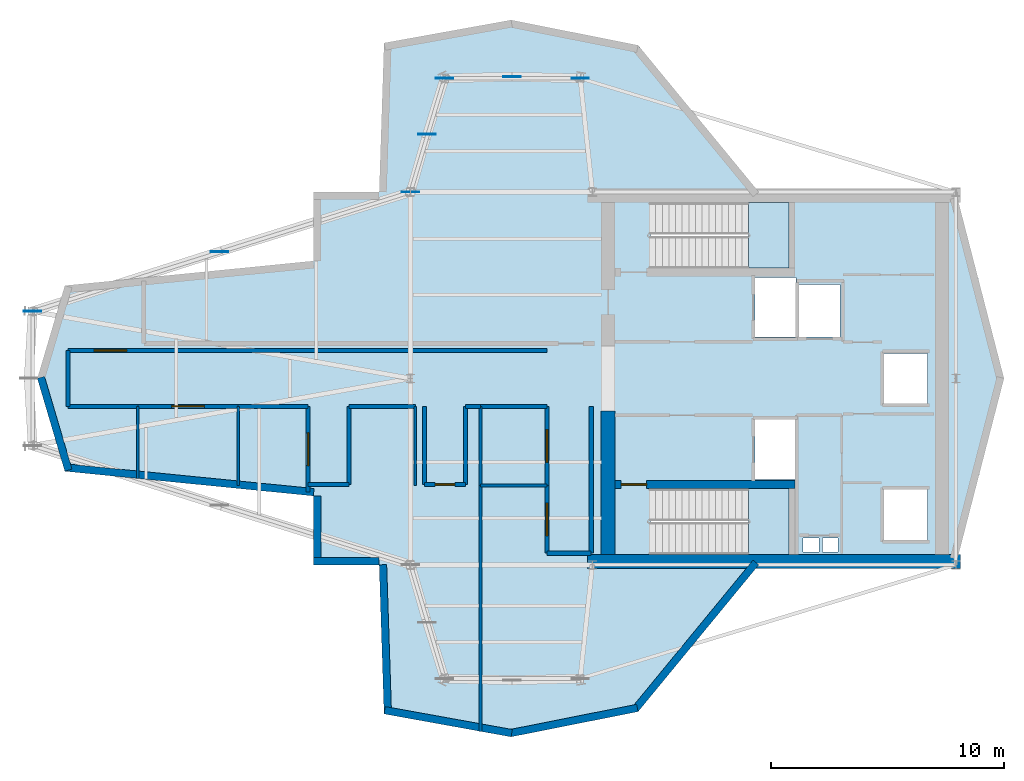
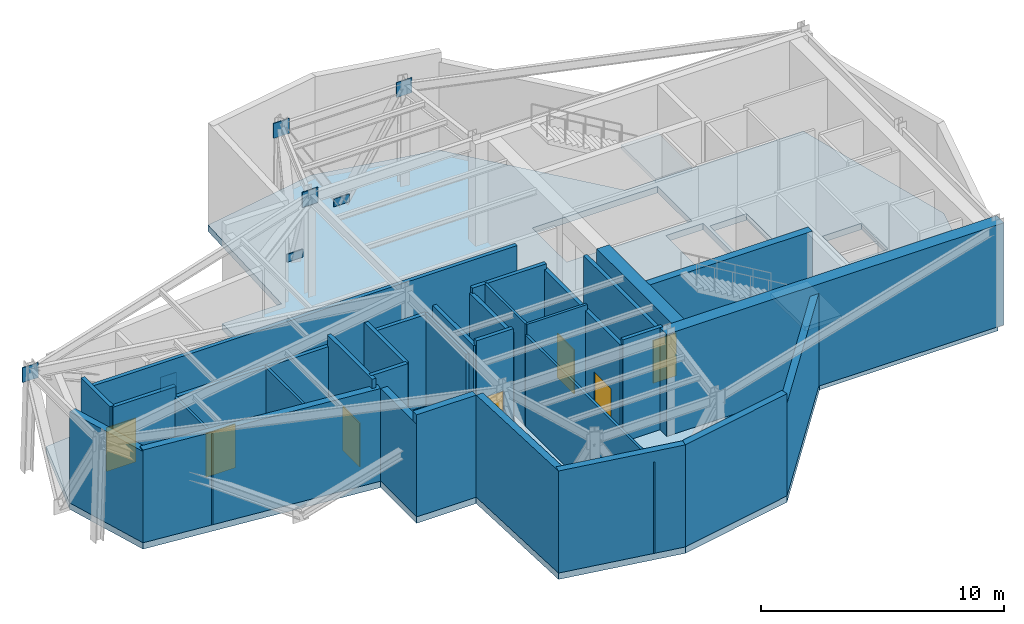
# One storey, part 2 of 5: 35 walls, 7 doors, 7 plates, 3 slabs, 7 openings, 2 elements without a shape of their own.
"""IFC4 building model written with IfcOpenShell, lengths in metres."""

from ifc_helpers import new_model, si_unit, direction, frame, frame_2d, origin, origin_2d, place, context, subcontext, project, spatial, polyline, rectangle, outline, extrude, material, layer, layer_set, type_object, element, fill, aggregate, save


model = new_model("IFC4")

# Units and contexts
model_context = context("Model", 3, precision=1e-05, world=origin(), true_north=direction((0.0, 1.0)))
body_context = subcontext(model_context, "Body", "Model", "MODEL_VIEW")
ifc_project = project(units=[si_unit("LENGTHUNIT", "METRE"), si_unit("AREAUNIT", "SQUARE_METRE"), si_unit("VOLUMEUNIT", "CUBIC_METRE"), si_unit("PLANEANGLEUNIT", "RADIAN"), si_unit("MASSUNIT", "GRAM", prefix="KILO")], contexts=[model_context])

# Site, building, storey
site_placement = place(None, origin())
site = spatial("IfcSite", under=ifc_project, at=site_placement, CompositionType="ELEMENT")
building_placement = place(site_placement, origin())
building = spatial("IfcBuilding", under=site, at=building_placement, Name="Veymaron Broadcast Tower", CompositionType="ELEMENT")
storey_placement = place(building_placement, frame((0.0, 0.0, 256.64990234375)))
storey = spatial("IfcBuildingStorey", under=building, at=storey_placement, Name="L60", CompositionType="ELEMENT", Elevation=256.64990234375)

# Plates
ifc_material_1 = material(Name="Structural steel ASTM A913 Gr 65", Category="steel")
ifc_layer_1 = layer(ifc_material_1, 0.0400390625)
ifc_layer_set_1 = layer_set([ifc_layer_1], Name="Structural steel ASTM A913 Gr 65")
plate_type = type_object("IfcPlateType", Name="PLT-NODE-BN1", PredefinedType="SHEET", material=ifc_layer_set_1)
for number, where, z_axis, x_axis, name in (
    (1, (14.97607421875, 26.8798828125, 4.4951171875), (0.0, 0.0, 1.0), (1.0, 0.0, 0.0), "L60 Belt Truss column gusset node plate BN1"),
    (2, (35.55712890625, 36.951904296875, -0.35498046875), (0.0, 0.0, 1.0), (1.0, 0.0, 0.0), "L60 Belt Truss apex gusset node plate BN1"),
    (3, (32.656005859375, 36.8798828125, 4.4951171875), (0.0, 0.0, 1.0), (1.0, 0.0, 0.0), "L60 Belt Truss column gusset node plate BN1"),
    (4, (38.47998046875, 36.8798828125, 4.4951171875), (0.0, 0.0, 1.0), (1.0, 0.0, 0.0), "L60 Belt Truss column gusset node plate BN1"),
    (5, (23.005126953125, 29.446044921875, -0.35498046875), (0.0, 0.0, 1.0), (1.0, 0.0, 0.0), "L60 Belt Truss apex gusset node plate BN1"),
    (6, (31.199951171875, 32.0, 4.4951171875), (0.0, 0.0, 1.0), (1.0, 0.0, 0.0), "L60 Belt Truss column gusset node plate BN1"),
    (7, (31.9111328125, 34.47607421875, -0.35498046875), (0.0, 0.0, 1.0), (1.0, 0.0, 0.0), "L60 Belt Truss apex gusset node plate BN1"),
):
    element("IfcPlate", number, at=place(storey_placement, frame(where, z_axis=z_axis, x_axis=x_axis)), inside=storey, type_object=plate_type, Name=name, PredefinedType="SHEET", context=body_context, shape_type="SweptSolid", body=[
        extrude(rectangle(XDim=0.75, YDim=0.0400390625, at=origin_2d()), origin(), (0.0, 0.0, 1.0), 0.75),
    ])

# Slab
ifc_material_2 = material(Name="Concrete C40/50", Category="concrete")
ifc_layer_2 = layer(ifc_material_2, 0.320068359375)
ifc_layer_set_2 = layer_set([ifc_layer_2], Name="Concrete C40/50")
slab_type_1 = type_object("IfcSlabType", Name="SLAB-FS2", PredefinedType="FLOOR", material=ifc_layer_set_2)
slab_1_placement = place(storey_placement, frame((0.0, 0.0, -0.31982421875)))
element("IfcSlab", 8, at=slab_1_placement, inside=storey, type_object=slab_type_1, Name="L60 structural floor slab", PredefinedType="FLOOR", context=body_context, shape_type="SweptSolid", body=[
    extrude(outline(polyline([(46.142333984375, 16.0), (54.60009765625, 16.0), (56.66650390625, 24.0), (54.60009765625, 32.0), (46.142333984375, 32.0), (40.962158203125, 38.30078125), (35.51123046875, 39.38330078125), (30.060302734375, 38.399169921875), (29.851806640625, 32.0), (27.025634765625, 32.0), (27.025634765625, 29.04248046875), (16.360107421875, 27.9833984375), (15.17919921875, 24.0), (16.360107421875, 20.0166015625), (27.025634765625, 18.95751953125), (27.025634765625, 16.0), (29.851806640625, 16.0), (30.060302734375, 9.600830078125), (35.51123046875, 8.61669921875), (40.962158203125, 9.69921875), (46.142333984375, 16.0)]), holes=[polyline([(45.969970703125, 28.330078125), (47.72998046875, 28.330078125), (47.72998046875, 25.77001953125), (45.969970703125, 25.77001953125), (45.969970703125, 28.330078125)]), polyline([(45.969970703125, 22.22998046875), (47.72998046875, 22.22998046875), (47.72998046875, 19.669921875), (45.969970703125, 19.669921875), (45.969970703125, 22.22998046875)]), polyline([(47.8701171875, 28.030029296875), (49.6298828125, 28.030029296875), (49.6298828125, 25.77001953125), (47.8701171875, 25.77001953125), (47.8701171875, 28.030029296875)]), polyline([(51.52001953125, 25.080078125), (53.3798828125, 25.080078125), (53.3798828125, 22.919921875), (51.52001953125, 22.919921875), (51.52001953125, 25.080078125)]), polyline([(51.52001953125, 19.22998046875), (53.3798828125, 19.22998046875), (53.3798828125, 17.070068359375), (51.52001953125, 17.070068359375), (51.52001953125, 19.22998046875)]), polyline([(48.050048828125, 17.159912109375), (48.719970703125, 17.159912109375), (48.719970703125, 16.56005859375), (48.050048828125, 16.56005859375), (48.050048828125, 17.159912109375)]), polyline([(48.8798828125, 17.159912109375), (49.550048828125, 17.159912109375), (49.550048828125, 16.56005859375), (48.8798828125, 16.56005859375), (48.8798828125, 17.159912109375)]), polyline([(41.489990234375, 31.550048828125), (47.43994140625, 31.550048828125), (47.43994140625, 28.72998046875), (41.489990234375, 28.72998046875), (41.489990234375, 31.550048828125)]), polyline([(41.489990234375, 19.27001953125), (47.43994140625, 19.27001953125), (47.43994140625, 16.449951171875), (41.489990234375, 16.449951171875), (41.489990234375, 19.27001953125)])]), origin(), (0.0, 0.0, 1.0), 0.31982421875),
])

# Stair, slab
ifc_material_3 = material(Name="Concrete C50/60", Category="concrete")
stair_type_1 = type_object("IfcStairType", Name="STAIR-CORE-1", PredefinedType="HALF_TURN_STAIR", material=ifc_material_3)
stair_1_placement = place(storey_placement, origin())
stair_1 = element("IfcStair", 9, at=stair_1_placement, inside=storey, type_object=stair_type_1, Name="L60 North protected dog-leg exit stair ST1", PredefinedType="HALF_TURN_STAIR")
ifc_layer_3 = layer(ifc_material_3, 0.199951171875)
ifc_layer_set_3 = layer_set([ifc_layer_3], Name="Concrete C50/60")
slab_type_2 = type_object("IfcSlabType", Name="SLAB-STAIR-LDG", PredefinedType="LANDING", material=ifc_layer_set_3)
slab_2_placement = place(storey_placement, frame((0.0, 0.0, 2.5)))
slab_2 = element("IfcSlab", 10, at=slab_2_placement, type_object=slab_type_2, Name="ST1 landing 1", PredefinedType="LANDING", context=body_context, shape_type="SweptSolid", body=[
    extrude(outline(polyline([(45.705078125, 28.72998046875), (47.43994140625, 28.72998046875), (47.43994140625, 31.550048828125), (45.705078125, 31.550048828125), (45.705078125, 28.72998046875)])), origin(), (0.0, 0.0, 1.0), 0.2001953125),
])
aggregate(stair_1, [slab_2])

stair_type_2 = type_object("IfcStairType", Name="STAIR-CORE-2", PredefinedType="HALF_TURN_STAIR", material=ifc_material_3)
stair_2_placement = place(storey_placement, origin())
stair_2 = element("IfcStair", 11, at=stair_2_placement, inside=storey, type_object=stair_type_2, Name="L60 South protected dog-leg exit stair ST2", PredefinedType="HALF_TURN_STAIR")
slab_3_placement = place(storey_placement, frame((0.0, 0.0, 2.5)))
slab_3 = element("IfcSlab", 12, at=slab_3_placement, type_object=slab_type_2, Name="ST2 landing 1", PredefinedType="LANDING", context=body_context, shape_type="SweptSolid", body=[
    extrude(outline(polyline([(45.705078125, 16.449951171875), (47.43994140625, 16.449951171875), (47.43994140625, 19.27001953125), (45.705078125, 19.27001953125), (45.705078125, 16.449951171875)])), origin(), (0.0, 0.0, 1.0), 0.2001953125),
])
aggregate(stair_2, [slab_3])

# Walls
ifc_material_4 = material(Name="Precast concrete C40/50", Category="concrete")
ifc_layer_4 = layer(ifc_material_4, 0.320068359375)
ifc_layer_set_4 = layer_set([ifc_layer_4], Name="Precast concrete C40/50")
wall_type_1 = type_object("IfcWallType", Name="WALL-EXT-320", PredefinedType="STANDARD", material=ifc_layer_set_4)
wall_1_placement = place(storey_placement, frame((15.33251953125, 24.04541015625, 0.0), z_axis=(0.0, 0.0, 1.0), x_axis=(0.284246391131, -0.958751265516, 0.0)))
element("IfcWall", 13, at=wall_1_placement, inside=storey, type_object=wall_type_1, Name="L60 mechanical belt-truss facade band 13-1", PredefinedType="STANDARD", context=body_context, shape_type="SweptSolid", body=[
    extrude(rectangle(XDim=4.154541015625, YDim=0.320068359375, at=frame_2d((2.0771484375, 0.0))), origin(), (0.0, 0.0, 1.0), 4.580078125),
])
wall_2_placement = place(storey_placement, frame((16.375732421875, 20.17578125, 0.0), z_axis=(0.0, 0.0, 1.0), x_axis=(0.995106185687, -0.098811331369, 0.0)))
element("IfcWall", 14, at=wall_2_placement, inside=storey, type_object=wall_type_1, Name="L60 mechanical belt-truss facade band 14-1", PredefinedType="STANDARD", context=body_context, shape_type="SweptSolid", body=[
    extrude(rectangle(XDim=10.71826171875, YDim=0.320068359375, at=frame_2d((5.359130859375, 0.0))), origin(), (0.0, 0.0, 1.0), 4.649169921875),
])
wall_3_placement = place(storey_placement, frame((27.185546875, 18.95751953125, 0.0), z_axis=(0.0, 0.0, 1.0), x_axis=(0.0, -1.0, 0.0)))
element("IfcWall", 15, at=wall_3_placement, inside=storey, type_object=wall_type_1, Name="L60 mechanical belt-truss facade band 15-1", PredefinedType="STANDARD", context=body_context, shape_type="SweptSolid", body=[
    extrude(rectangle(XDim=2.95751953125, YDim=0.320068359375, at=frame_2d((1.478759765625, 0.0))), origin(), (0.0, 0.0, 1.0), 4.649169921875),
])
wall_4_placement = place(storey_placement, frame((27.025634765625, 16.159912109375, 0.0), z_axis=(0.0, 0.0, 1.0), x_axis=(1.0, 0.0, 0.0)))
element("IfcWall", 16, at=wall_4_placement, inside=storey, type_object=wall_type_1, Name="L60 mechanical belt-truss facade band 16-1", PredefinedType="STANDARD", context=body_context, shape_type="SweptSolid", body=[
    extrude(rectangle(XDim=2.826171875, YDim=0.320068359375, at=frame_2d((1.4130859375, 0.0))), origin(), (0.0, 0.0, 1.0), 5.1201171875),
])
wall_5_placement = place(storey_placement, frame((30.01171875, 16.005126953125, 0.0), z_axis=(0.0, 0.0, 1.0), x_axis=(0.032564460351, -0.999469637319, 0.0)))
element("IfcWall", 17, at=wall_5_placement, inside=storey, type_object=wall_type_1, Name="L60 mechanical belt-truss facade band 17-1", PredefinedType="STANDARD", context=body_context, shape_type="SweptSolid", body=[
    extrude(rectangle(XDim=6.402587890625, YDim=0.320068359375, at=frame_2d((3.201171875, 0.0))), origin(), (0.0, 0.0, 1.0), 5.1201171875),
])
wall_6_placement = place(storey_placement, frame((30.088623046875, 9.75830078125, 0.0), z_axis=(0.0, 0.0, 1.0), x_axis=(0.984097600436, -0.177628581079, 0.0)))
element("IfcWall", 18, at=wall_6_placement, inside=storey, type_object=wall_type_1, Name="L60 mechanical belt-truss facade band 18-1", PredefinedType="STANDARD", context=body_context, shape_type="SweptSolid", body=[
    extrude(rectangle(XDim=5.5390625, YDim=0.320068359375, at=frame_2d((2.76953125, 0.0))), origin(), (0.0, 0.0, 1.0), 5.1201171875),
])
wall_7_placement = place(storey_placement, frame((35.47998046875, 8.773681640625, 0.0), z_axis=(0.0, 0.0, 1.0), x_axis=(0.980845053644, 0.194789580681, 0.0)))
element("IfcWall", 19, at=wall_7_placement, inside=storey, type_object=wall_type_1, Name="L60 mechanical belt-truss facade band 19-1", PredefinedType="STANDARD", context=body_context, shape_type="SweptSolid", body=[
    extrude(rectangle(XDim=5.557373046875, YDim=0.320068359375, at=frame_2d((2.77880859375, 0.0))), origin(), (0.0, 0.0, 1.0), 5.1201171875),
])
wall_8_placement = place(storey_placement, frame((40.83837890625, 9.80078125, 0.0), z_axis=(0.0, 0.0, 1.0), x_axis=(0.635089129199, 0.772438863583, 0.0)))
element("IfcWall", 20, at=wall_8_placement, inside=storey, type_object=wall_type_1, Name="L60 mechanical belt-truss facade band 20-1", PredefinedType="STANDARD", context=body_context, shape_type="SweptSolid", body=[
    extrude(rectangle(XDim=8.156982421875, YDim=0.320068359375, at=frame_2d((4.07861328125, 0.0))), origin(), (0.0, 0.0, 1.0), 4.649169921875),
])

# Wall, opening, door
ifc_layer_5 = layer(ifc_material_2, 0.179931640625)
ifc_layer_set_5 = layer_set([ifc_layer_5], Name="Concrete C40/50")
wall_type_2 = type_object("IfcWallType", Name="WALL-FIRE-180", PredefinedType="SOLIDWALL", material=ifc_layer_set_5)
wall_9_placement = place(storey_placement, frame((37.050048828125, 16.5, 0.0), z_axis=(0.0, 0.0, 1.0), x_axis=(0.0, 1.0, 0.0)))
wall_9 = element("IfcWall", 21, at=wall_9_placement, inside=storey, type_object=wall_type_2, Name="L60 partition IW-L60-P02", PredefinedType="SOLIDWALL", context=body_context, shape_type="SweptSolid", body=[
    extrude(rectangle(XDim=2.89990234375, YDim=0.179931640625, at=frame_2d((1.449951171875, 0.0))), origin(), (0.0, 0.0, 1.0), 4.85009765625),
])
opening_1_placement = place(wall_9_placement, frame((0.75, 0.0, 0.0)))
opening_1 = element("IfcOpeningElement", 22, at=opening_1_placement, cuts=wall_9, Name="Opening ID-PL1", PredefinedType="OPENING", context=body_context, shape_type="SweptSolid", body=[
    extrude(rectangle(XDim=1.39990234375, YDim=2.199951171875, at=frame_2d((0.699951171875, 1.10009765625))), frame((0.0, 0.10009765625, 0.0), z_axis=(0.0, -1.0, 0.0), x_axis=(1.0, 0.0, 0.0)), (0.0, 0.0, 1.0), 0.199951171875),
])
ifc_material_5 = material(Name="Heavy-duty acoustic galvanized steel", Category="steel")
door_type_1 = type_object("IfcDoorType", Name="DOOR-PLANT-1400", OperationType="DOUBLE_DOOR_SINGLE_SWING", PredefinedType="DOOR", material=ifc_material_5)
door_1_placement = place(opening_1_placement, origin())
door_1 = element("IfcDoor", 23, at=door_1_placement, inside=storey, type_object=door_type_1, Name="L60 door DR-L60-P02", OperationType="SINGLE_SWING_LEFT", OverallHeight=2.199951171875, OverallWidth=1.39990234375, PredefinedType="DOOR", context=body_context, shape_type="SweptSolid", body=[
    extrude(rectangle(XDim=1.39990234375, YDim=2.199951171875, at=frame_2d((0.699951171875, 1.10009765625))), frame((0.0, 0.02490234375, 0.0), z_axis=(0.0, -1.0, 0.0), x_axis=(1.0, 0.0, 0.0)), (0.0, 0.0, 1.0), 0.050048828125),
])
fill(opening_1, door_1)

wall_10_placement = place(storey_placement, frame((31.800048828125, 19.449951171875, 0.0), z_axis=(0.0, 0.0, 1.0), x_axis=(1.0, 0.0, 0.0)))
wall_10 = element("IfcWall", 24, at=wall_10_placement, inside=storey, type_object=wall_type_2, Name="L60 partition IW-L60-P06", PredefinedType="SOLIDWALL", context=body_context, shape_type="SweptSolid", body=[
    extrude(rectangle(XDim=1.75, YDim=0.179931640625, at=frame_2d((0.875, 0.0))), origin(), (0.0, 0.0, 1.0), 5.1201171875),
])
opening_2_placement = place(wall_10_placement, frame((0.449951171875, 0.0, 0.0)))
opening_2 = element("IfcOpeningElement", 25, at=opening_2_placement, cuts=wall_10, Name="Opening ID-WC1", PredefinedType="OPENING", context=body_context, shape_type="SweptSolid", body=[
    extrude(rectangle(XDim=0.85009765625, YDim=2.14990234375, at=frame_2d((0.425048828125, 1.074951171875))), frame((0.0, 0.10009765625, 0.0), z_axis=(0.0, -1.0, 0.0), x_axis=(1.0, 0.0, 0.0)), (0.0, 0.0, 1.0), 0.199951171875),
])
ifc_material_6 = material(Name="Moisture-resistant high-pressure laminate timber", Category="wood")
door_type_2 = type_object("IfcDoorType", Name="DOOR-INT-850", OperationType="NOTDEFINED", PredefinedType="DOOR", material=ifc_material_6)
door_2_placement = place(opening_2_placement, frame((0.85009765625, 0.0, 0.0), z_axis=(0.0, 0.0, 1.0), x_axis=(-1.0, 0.0, 0.0)))
door_2 = element("IfcDoor", 26, at=door_2_placement, inside=storey, type_object=door_type_2, Name="L60 door DR-L60-P06", OperationType="SINGLE_SWING_LEFT", OverallHeight=2.14990234375, OverallWidth=0.85009765625, PredefinedType="DOOR", context=body_context, shape_type="SweptSolid", body=[
    extrude(rectangle(XDim=0.85009765625, YDim=2.14990234375, at=frame_2d((0.425048828125, 1.074951171875))), frame((0.0, 0.02490234375, 0.0), z_axis=(0.0, -1.0, 0.0), x_axis=(1.0, 0.0, 0.0)), (0.0, 0.0, 1.0), 0.050048828125),
])
fill(opening_2, door_2)

wall_11_placement = place(storey_placement, frame((26.800048828125, 19.119873046875, 0.0), z_axis=(0.0, 0.0, 1.0), x_axis=(0.0, 1.0, 0.0)))
wall_11 = element("IfcWall", 27, at=wall_11_placement, inside=storey, type_object=wall_type_2, Name="L60 partition IW-L60-P08", PredefinedType="SOLIDWALL", context=body_context, shape_type="SweptSolid", body=[
    extrude(rectangle(XDim=3.68017578125, YDim=0.179931640625, at=frame_2d((1.840087890625, 0.0))), origin(), (0.0, 0.0, 1.0), 5.1201171875),
])
opening_3_placement = place(wall_11_placement, frame((1.14013671875, 0.0, 0.0)))
opening_3 = element("IfcOpeningElement", 28, at=opening_3_placement, cuts=wall_11, Name="Opening ID-PL1", PredefinedType="OPENING", context=body_context, shape_type="SweptSolid", body=[
    extrude(rectangle(XDim=1.39990234375, YDim=2.199951171875, at=frame_2d((0.699951171875, 1.10009765625))), frame((0.0, 0.10009765625, 0.0), z_axis=(0.0, -1.0, 0.0), x_axis=(1.0, 0.0, 0.0)), (0.0, 0.0, 1.0), 0.199951171875),
])
door_3_placement = place(opening_3_placement, origin())
door_3 = element("IfcDoor", 29, at=door_3_placement, inside=storey, type_object=door_type_1, Name="L60 door DR-L60-P08", OperationType="SINGLE_SWING_LEFT", OverallHeight=2.199951171875, OverallWidth=1.39990234375, PredefinedType="DOOR", context=body_context, shape_type="SweptSolid", body=[
    extrude(rectangle(XDim=1.39990234375, YDim=2.199951171875, at=frame_2d((0.699951171875, 1.10009765625))), frame((0.0, 0.02490234375, 0.0), z_axis=(0.0, -1.0, 0.0), x_axis=(1.0, 0.0, 0.0)), (0.0, 0.0, 1.0), 0.050048828125),
])
fill(opening_3, door_3)

wall_12_placement = place(storey_placement, frame((37.050048828125, 19.39990234375, 0.0), z_axis=(0.0, 0.0, 1.0), x_axis=(0.0, 1.0, 0.0)))
wall_12 = element("IfcWall", 30, at=wall_12_placement, inside=storey, type_object=wall_type_2, Name="L60 partition IW-L60-P13", PredefinedType="SOLIDWALL", context=body_context, shape_type="SweptSolid", body=[
    extrude(rectangle(XDim=3.400146484375, YDim=0.179931640625, at=frame_2d((1.7001953125, 0.0))), origin(), (0.0, 0.0, 1.0), 4.85009765625),
])
opening_4_placement = place(wall_12_placement, frame((1.0, 0.0, 0.0)))
opening_4 = element("IfcOpeningElement", 31, at=opening_4_placement, cuts=wall_12, Name="Opening ID-PL1", PredefinedType="OPENING", context=body_context, shape_type="SweptSolid", body=[
    extrude(rectangle(XDim=1.39990234375, YDim=2.199951171875, at=frame_2d((0.699951171875, 1.10009765625))), frame((0.0, 0.10009765625, 0.0), z_axis=(0.0, -1.0, 0.0), x_axis=(1.0, 0.0, 0.0)), (0.0, 0.0, 1.0), 0.199951171875),
])
door_4_placement = place(opening_4_placement, origin())
door_4 = element("IfcDoor", 32, at=door_4_placement, inside=storey, type_object=door_type_1, Name="L60 door DR-L60-P13", OperationType="SINGLE_SWING_LEFT", OverallHeight=2.199951171875, OverallWidth=1.39990234375, PredefinedType="DOOR", context=body_context, shape_type="SweptSolid", body=[
    extrude(rectangle(XDim=1.39990234375, YDim=2.199951171875, at=frame_2d((0.699951171875, 1.10009765625))), frame((0.0, 0.02490234375, 0.0), z_axis=(0.0, -1.0, 0.0), x_axis=(1.0, 0.0, 0.0)), (0.0, 0.0, 1.0), 0.050048828125),
])
fill(opening_4, door_4)

wall_13_placement = place(storey_placement, frame((19.489990234375, 22.800048828125, 0.0), z_axis=(0.0, 0.0, 1.0), x_axis=(1.0, 0.0, 0.0)))
wall_13 = element("IfcWall", 33, at=wall_13_placement, inside=storey, type_object=wall_type_2, Name="L60 partition IW-L60-P15", PredefinedType="SOLIDWALL", context=body_context, shape_type="SweptSolid", body=[
    extrude(rectangle(XDim=4.31005859375, YDim=0.179931640625, at=frame_2d((2.155029296875, 0.0))), origin(), (0.0, 0.0, 1.0), 4.580078125),
])
opening_5_placement = place(wall_13_placement, frame((1.455078125, 0.0, 0.0)))
opening_5 = element("IfcOpeningElement", 34, at=opening_5_placement, cuts=wall_13, Name="Opening ID-PL1", PredefinedType="OPENING", context=body_context, shape_type="SweptSolid", body=[
    extrude(rectangle(XDim=1.39990234375, YDim=2.199951171875, at=frame_2d((0.699951171875, 1.10009765625))), frame((0.0, 0.10009765625, 0.0), z_axis=(0.0, -1.0, 0.0), x_axis=(1.0, 0.0, 0.0)), (0.0, 0.0, 1.0), 0.199951171875),
])
door_5_placement = place(opening_5_placement, frame((1.39990234375, 0.0, 0.0), z_axis=(0.0, 0.0, 1.0), x_axis=(-1.0, 0.0, 0.0)))
door_5 = element("IfcDoor", 35, at=door_5_placement, inside=storey, type_object=door_type_1, Name="L60 door DR-L60-P15", OperationType="SINGLE_SWING_LEFT", OverallHeight=2.199951171875, OverallWidth=1.39990234375, PredefinedType="DOOR", context=body_context, shape_type="SweptSolid", body=[
    extrude(rectangle(XDim=1.39990234375, YDim=2.199951171875, at=frame_2d((0.699951171875, 1.10009765625))), frame((0.0, 0.02490234375, 0.0), z_axis=(0.0, -1.0, 0.0), x_axis=(1.0, 0.0, 0.0)), (0.0, 0.0, 1.0), 0.050048828125),
])
fill(opening_5, door_5)

wall_14_placement = place(storey_placement, frame((16.5, 25.199951171875, 0.0), z_axis=(0.0, 0.0, 1.0), x_axis=(1.0, 0.0, 0.0)))
wall_14 = element("IfcWall", 36, at=wall_14_placement, inside=storey, type_object=wall_type_2, Name="L60 partition IW-L60-P16", PredefinedType="SOLIDWALL", context=body_context, shape_type="SweptSolid", body=[
    extrude(rectangle(XDim=20.550048828125, YDim=0.179931640625, at=frame_2d((10.27490234375, 0.0))), origin(), (0.0, 0.0, 1.0), 4.580078125),
])
opening_6_placement = place(wall_14_placement, frame((1.114990234375, 0.0, 0.0)))
opening_6 = element("IfcOpeningElement", 37, at=opening_6_placement, cuts=wall_14, Name="Opening ID-PL1", PredefinedType="OPENING", context=body_context, shape_type="SweptSolid", body=[
    extrude(rectangle(XDim=1.39990234375, YDim=2.199951171875, at=frame_2d((0.699951171875, 1.10009765625))), frame((0.0, 0.10009765625, 0.0), z_axis=(0.0, -1.0, 0.0), x_axis=(1.0, 0.0, 0.0)), (0.0, 0.0, 1.0), 0.199951171875),
])
door_6_placement = place(opening_6_placement, frame((1.39990234375, 0.0, 0.0), z_axis=(0.0, 0.0, 1.0), x_axis=(-1.0, 0.0, 0.0)))
door_6 = element("IfcDoor", 38, at=door_6_placement, inside=storey, type_object=door_type_1, Name="L60 door DR-L60-P16", OperationType="SINGLE_SWING_LEFT", OverallHeight=2.199951171875, OverallWidth=1.39990234375, PredefinedType="DOOR", context=body_context, shape_type="SweptSolid", body=[
    extrude(rectangle(XDim=1.39990234375, YDim=2.199951171875, at=frame_2d((0.699951171875, 1.10009765625))), frame((0.0, 0.02490234375, 0.0), z_axis=(0.0, -1.0, 0.0), x_axis=(1.0, 0.0, 0.0)), (0.0, 0.0, 1.0), 0.050048828125),
])
fill(opening_6, door_6)

# Walls
wall_15_placement = place(storey_placement, frame((38.949951171875, 16.5, 0.0), z_axis=(0.0, 0.0, 1.0), x_axis=(0.0, 1.0, 0.0)))
element("IfcWall", 39, at=wall_15_placement, inside=storey, type_object=wall_type_2, Name="L60 partition IW-L60-P01", PredefinedType="SOLIDWALL", context=body_context, shape_type="SweptSolid", body=[
    extrude(rectangle(XDim=6.300048828125, YDim=0.179931640625, at=frame_2d((3.14990234375, 0.0))), origin(), (0.0, 0.0, 1.0), 4.85009765625),
])
wall_16_placement = place(storey_placement, frame((37.050048828125, 16.5, 0.0), z_axis=(0.0, 0.0, 1.0), x_axis=(1.0, 0.0, 0.0)))
element("IfcWall", 40, at=wall_16_placement, inside=storey, type_object=wall_type_2, Name="L60 partition IW-L60-P03", PredefinedType="SOLIDWALL", context=body_context, shape_type="SweptSolid", body=[
    extrude(rectangle(XDim=1.89990234375, YDim=0.179931640625, at=frame_2d((0.949951171875, 0.0))), origin(), (0.0, 0.0, 1.0), 5.1201171875),
])
for number, where, z_axis, x_axis, name in (
    (41, (33.550048828125, 19.449951171875, 0.0), (0.0, 0.0, 1.0), (0.0, 1.0, 0.0), "L60 partition IW-L60-P04"),
    (42, (31.800048828125, 19.449951171875, 0.0), (0.0, 0.0, 1.0), (0.0, 1.0, 0.0), "L60 partition IW-L60-P05"),
):
    element("IfcWall", number, at=place(storey_placement, frame(where, z_axis=z_axis, x_axis=x_axis)), inside=storey, type_object=wall_type_2, Name=name, PredefinedType="SOLIDWALL", context=body_context, shape_type="SweptSolid", body=[
        extrude(rectangle(XDim=3.35009765625, YDim=0.179931640625, at=frame_2d((1.675048828125, 0.0))), origin(), (0.0, 0.0, 1.0), 4.85009765625),
    ])
wall_17_placement = place(storey_placement, frame((33.550048828125, 22.800048828125, 0.0), z_axis=(0.0, 0.0, 1.0), x_axis=(1.0, 0.0, 0.0)))
element("IfcWall", 43, at=wall_17_placement, inside=storey, type_object=wall_type_2, Name="L60 partition IW-L60-P07", PredefinedType="SOLIDWALL", context=body_context, shape_type="SweptSolid", body=[
    extrude(rectangle(XDim=0.64990234375, YDim=0.179931640625, at=frame_2d((0.324951171875, 0.0))), origin(), (0.0, 0.0, 1.0), 5.1201171875),
])
wall_18_placement = place(storey_placement, frame((28.550048828125, 19.449951171875, 0.0), z_axis=(0.0, 0.0, 1.0), x_axis=(0.0, 1.0, 0.0)))
element("IfcWall", 44, at=wall_18_placement, inside=storey, type_object=wall_type_2, Name="L60 partition IW-L60-P09", PredefinedType="SOLIDWALL", context=body_context, shape_type="SweptSolid", body=[
    extrude(rectangle(XDim=3.35009765625, YDim=0.179931640625, at=frame_2d((1.675048828125, 0.0))), origin(), (0.0, 0.0, 1.0), 5.1201171875),
])
wall_19_placement = place(storey_placement, frame((23.800048828125, 22.800048828125, 0.0), z_axis=(0.0, 0.0, 1.0), x_axis=(1.0, 0.0, 0.0)))
element("IfcWall", 45, at=wall_19_placement, inside=storey, type_object=wall_type_2, Name="L60 partition IW-L60-P10", PredefinedType="SOLIDWALL", context=body_context, shape_type="SweptSolid", body=[
    extrude(rectangle(XDim=3.0, YDim=0.179931640625, at=frame_2d((1.5, 0.0))), origin(), (0.0, 0.0, 1.0), 4.580078125),
])
wall_20_placement = place(storey_placement, frame((28.550048828125, 22.800048828125, 0.0), z_axis=(0.0, 0.0, 1.0), x_axis=(1.0, 0.0, 0.0)))
element("IfcWall", 46, at=wall_20_placement, inside=storey, type_object=wall_type_2, Name="L60 partition IW-L60-P11", PredefinedType="SOLIDWALL", context=body_context, shape_type="SweptSolid", body=[
    extrude(rectangle(XDim=2.849853515625, YDim=0.179931640625, at=frame_2d((1.4248046875, 0.0))), origin(), (0.0, 0.0, 1.0), 4.580078125),
])
wall_21_placement = place(storey_placement, frame((26.800048828125, 19.449951171875, 0.0), z_axis=(0.0, 0.0, 1.0), x_axis=(1.0, 0.0, 0.0)))
element("IfcWall", 47, at=wall_21_placement, inside=storey, type_object=wall_type_2, Name="L60 partition IW-L60-P12", PredefinedType="SOLIDWALL", context=body_context, shape_type="SweptSolid", body=[
    extrude(rectangle(XDim=1.75, YDim=0.179931640625, at=frame_2d((0.875, 0.0))), origin(), (0.0, 0.0, 1.0), 5.1201171875),
])
wall_22_placement = place(storey_placement, frame((34.199951171875, 22.800048828125, 0.0), z_axis=(0.0, 0.0, 1.0), x_axis=(1.0, 0.0, 0.0)))
element("IfcWall", 48, at=wall_22_placement, inside=storey, type_object=wall_type_2, Name="L60 partition IW-L60-P14", PredefinedType="SOLIDWALL", context=body_context, shape_type="SweptSolid", body=[
    extrude(rectangle(XDim=2.85009765625, YDim=0.179931640625, at=frame_2d((1.425048828125, 0.0))), origin(), (0.0, 0.0, 1.0), 5.1201171875),
])
wall_23_placement = place(storey_placement, frame((16.5, 22.800048828125, 0.0), z_axis=(0.0, 0.0, 1.0), x_axis=(1.0, 0.0, 0.0)))
element("IfcWall", 49, at=wall_23_placement, inside=storey, type_object=wall_type_2, Name="L60 partition IW-L60-P17", PredefinedType="SOLIDWALL", context=body_context, shape_type="SweptSolid", body=[
    extrude(rectangle(XDim=2.989990234375, YDim=0.179931640625, at=frame_2d((1.4951171875, 0.0))), origin(), (0.0, 0.0, 1.0), 5.1201171875),
])
wall_24_placement = place(storey_placement, frame((16.5, 22.800048828125, 0.0), z_axis=(0.0, 0.0, 1.0), x_axis=(0.0, 1.0, 0.0)))
element("IfcWall", 50, at=wall_24_placement, inside=storey, type_object=wall_type_2, Name="L60 partition IW-L60-P18", PredefinedType="SOLIDWALL", context=body_context, shape_type="SweptSolid", body=[
    extrude(rectangle(XDim=2.39990234375, YDim=0.179931640625, at=frame_2d((1.199951171875, 0.0))), origin(), (0.0, 0.0, 1.0), 5.1201171875),
])
ifc_material_7 = material(Name="Acoustic gypsum board and galvanized stud", Category="gypsum")
ifc_layer_6 = layer(ifc_material_7, 0.1201171875)
ifc_layer_set_6 = layer_set([ifc_layer_6], Name="Acoustic gypsum board and galvanized stud")
wall_type_3 = type_object("IfcWallType", Name="WALL-PART-120", PredefinedType="PARTITIONING", material=ifc_layer_set_6)
wall_25_placement = place(storey_placement, frame((34.199951171875, 8.853515625, 0.0), z_axis=(0.0, 0.0, 1.0), x_axis=(0.0, 1.0, 0.0)))
element("IfcWall", 51, at=wall_25_placement, inside=storey, type_object=wall_type_3, Name="L60 partition IW-L60-P19", PredefinedType="PARTITIONING", context=body_context, shape_type="SweptSolid", body=[
    extrude(rectangle(XDim=10.54638671875, YDim=0.1201171875, at=frame_2d((5.273193359375, 0.0))), origin(), (0.0, 0.0, 1.0), 4.580078125),
])
wall_26_placement = place(storey_placement, frame((34.199951171875, 19.39990234375, 0.0), z_axis=(0.0, 0.0, 1.0), x_axis=(1.0, 0.0, 0.0)))
element("IfcWall", 52, at=wall_26_placement, inside=storey, type_object=wall_type_3, Name="L60 partition IW-L60-P20", PredefinedType="PARTITIONING", context=body_context, shape_type="SweptSolid", body=[
    extrude(rectangle(XDim=2.85009765625, YDim=0.1201171875, at=frame_2d((1.425048828125, 0.0))), origin(), (0.0, 0.0, 1.0), 5.1201171875),
])
wall_27_placement = place(storey_placement, frame((31.39990234375, 19.39990234375, 0.0), z_axis=(0.0, 0.0, 1.0), x_axis=(0.0, 1.0, 0.0)))
element("IfcWall", 53, at=wall_27_placement, inside=storey, type_object=wall_type_3, Name="L60 partition IW-L60-P22", PredefinedType="PARTITIONING", context=body_context, shape_type="SweptSolid", body=[
    extrude(rectangle(XDim=3.400146484375, YDim=0.1201171875, at=frame_2d((1.7001953125, 0.0))), origin(), (0.0, 0.0, 1.0), 4.580078125),
])
wall_28_placement = place(storey_placement, frame((34.199951171875, 19.39990234375, 0.0), z_axis=(0.0, 0.0, 1.0), x_axis=(0.0, 1.0, 0.0)))
element("IfcWall", 54, at=wall_28_placement, inside=storey, type_object=wall_type_3, Name="L60 partition IW-L60-P23", PredefinedType="PARTITIONING", context=body_context, shape_type="SweptSolid", body=[
    extrude(rectangle(XDim=3.400146484375, YDim=0.1201171875, at=frame_2d((1.7001953125, 0.0))), origin(), (0.0, 0.0, 1.0), 5.1201171875),
])
wall_29_placement = place(storey_placement, frame((23.800048828125, 19.39990234375, 0.0), z_axis=(0.0, 0.0, 1.0), x_axis=(0.0, 1.0, 0.0)))
element("IfcWall", 55, at=wall_29_placement, inside=storey, type_object=wall_type_3, Name="L60 partition IW-L60-P24", PredefinedType="PARTITIONING", context=body_context, shape_type="SweptSolid", body=[
    extrude(rectangle(XDim=3.400146484375, YDim=0.1201171875, at=frame_2d((1.7001953125, 0.0))), origin(), (0.0, 0.0, 1.0), 4.580078125),
])
wall_30_placement = place(storey_placement, frame((19.489990234375, 19.705810546875, 0.0), z_axis=(0.0, 0.0, 1.0), x_axis=(0.0, 1.0, 0.0)))
element("IfcWall", 56, at=wall_30_placement, inside=storey, type_object=wall_type_3, Name="L60 partition IW-L60-P25", PredefinedType="PARTITIONING", context=body_context, shape_type="SweptSolid", body=[
    extrude(rectangle(XDim=3.09423828125, YDim=0.1201171875, at=frame_2d((1.547119140625, 0.0))), origin(), (0.0, 0.0, 1.0), 4.580078125),
])

# Wall, opening, door
ifc_layer_7 = layer(ifc_material_3, 0.35009765625)
ifc_layer_set_7 = layer_set([ifc_layer_7], Name="Concrete C50/60")
wall_type_4 = type_object("IfcWallType", Name="WALL-SHEAR-350", PredefinedType="SHEAR", material=ifc_layer_set_7)
wall_31_placement = place(storey_placement, frame((39.97998046875, 19.445068359375, 0.0), z_axis=(0.0, 0.0, 1.0), x_axis=(1.0, 0.0, 0.0)))
wall_31 = element("IfcWall", 57, at=wall_31_placement, inside=storey, type_object=wall_type_4, Name="L60 Core Wall south stair spine", PredefinedType="SHEAR", context=body_context, shape_type="SweptSolid", body=[
    extrude(rectangle(XDim=7.7099609375, YDim=0.35009765625, at=frame_2d((3.85498046875, 0.0))), origin(), (0.0, 0.0, 1.0), 5.1201171875),
])
opening_7_placement = place(wall_31_placement, frame((0.25, 0.0, 0.0)))
opening_7 = element("IfcOpeningElement", 58, at=opening_7_placement, cuts=wall_31, Name="Opening ID-ST1", PredefinedType="OPENING", context=body_context, shape_type="SweptSolid", body=[
    extrude(rectangle(XDim=1.10009765625, YDim=2.14990234375, at=frame_2d((0.550048828125, 1.074951171875))), frame((0.0, 0.18505859375, 0.0), z_axis=(0.0, -1.0, 0.0), x_axis=(1.0, 0.0, 0.0)), (0.0, 0.0, 1.0), 0.3701171875),
])
ifc_material_8 = material(Name="Fire-rated painted hollow steel ASTM A653", Category="steel")
door_type_3 = type_object("IfcDoorType", Name="DOOR-STAIR-1100", OperationType="NOTDEFINED", PredefinedType="DOOR", material=ifc_material_8)
door_7_placement = place(opening_7_placement, frame((1.10009765625, 0.0, 0.0), z_axis=(0.0, 0.0, 1.0), x_axis=(-1.0, 0.0, 0.0)))
door_7 = element("IfcDoor", 59, at=door_7_placement, inside=storey, type_object=door_type_3, Name="L60 exit stair ST2 fire door", OperationType="SINGLE_SWING_RIGHT", OverallHeight=2.14990234375, OverallWidth=1.10009765625, PredefinedType="DOOR", context=body_context, shape_type="SweptSolid", body=[
    extrude(rectangle(XDim=1.10009765625, YDim=2.14990234375, at=frame_2d((0.550048828125, 1.074951171875))), frame((0.0, 0.02490234375, 0.0), z_axis=(0.0, -1.0, 0.0), x_axis=(1.0, 0.0, 0.0)), (0.0, 0.0, 1.0), 0.050048828125),
])
fill(opening_7, door_7)

# Walls
ifc_layer_8 = layer(ifc_material_3, 0.60009765625)
ifc_layer_set_8 = layer_set([ifc_layer_8], Name="Concrete C50/60")
wall_type_5 = type_object("IfcWallType", Name="WALL-SHEAR-600", PredefinedType="SHEAR", material=ifc_layer_set_8)
wall_32_placement = place(storey_placement, frame((38.800048828125, 16.14990234375, 0.0), z_axis=(0.0, 0.0, 1.0), x_axis=(1.0, 0.0, 0.0)))
element("IfcWall", 60, at=wall_32_placement, inside=storey, type_object=wall_type_5, Name="L60 Core Wall south shear", PredefinedType="SHEAR", context=body_context, shape_type="SweptSolid", body=[
    extrude(rectangle(XDim=16.0, YDim=0.60009765625, at=frame_2d((8.0, 0.0))), origin(), (0.0, 0.0, 1.0), 5.1201171875),
])
wall_33_placement = place(storey_placement, frame((39.679931640625, 16.449951171875, 0.0), z_axis=(0.0, 0.0, 1.0), x_axis=(0.0, 1.0, 0.0)))
element("IfcWall", 61, at=wall_33_placement, inside=storey, type_object=wall_type_5, Name="L60 Core Wall west-south shear", PredefinedType="SHEAR", context=body_context, shape_type="SweptSolid", body=[
    extrude(rectangle(XDim=6.150146484375, YDim=0.60009765625, at=frame_2d((3.0751953125, 0.0))), origin(), (0.0, 0.0, 1.0), 5.1201171875),
])

save(model, "model.ifc")
